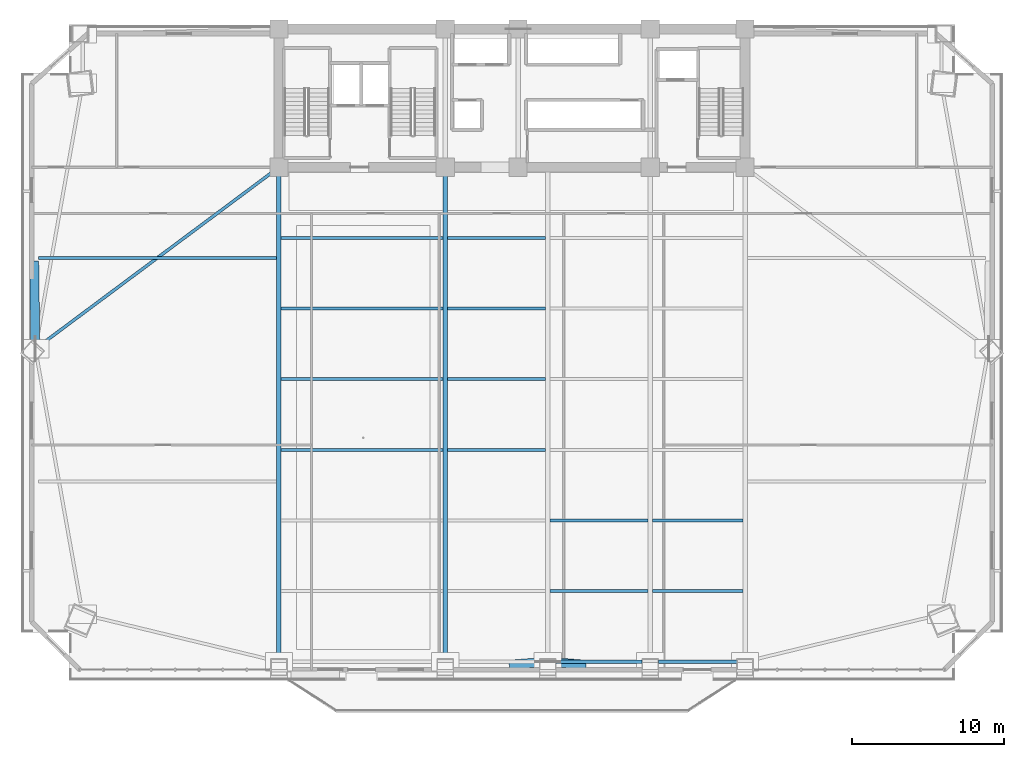
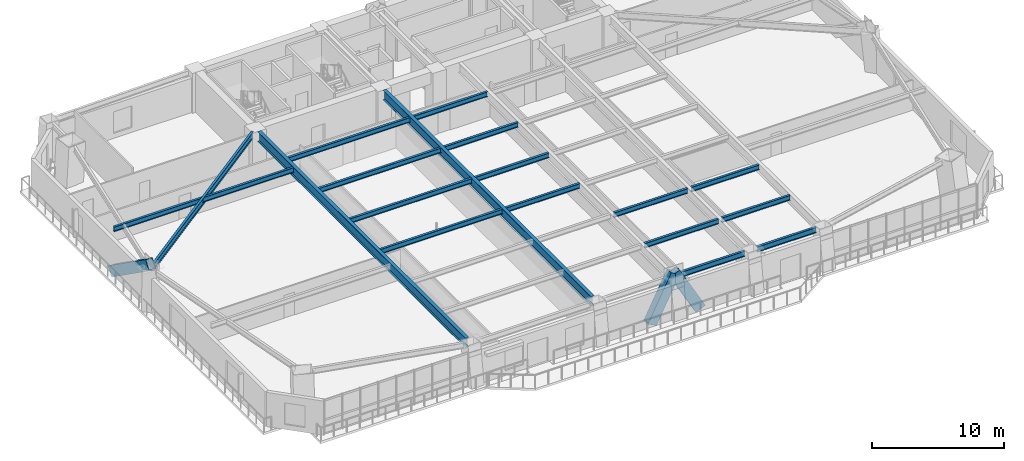
# One storey, part 5 of 17: 18 beams, 3 members.
"""IFC4 building model written with IfcOpenShell, lengths in metres."""

from ifc_helpers import new_model, si_unit, direction, frame, origin, origin_2d, place, context, subcontext, project, spatial, hollow_rectangle, i_section, extrude, source, transform, mapped, material, material_profile, profile_set, type_object, element, save


model = new_model("IFC4")

# Units and contexts
model_context = context("Model", 3, precision=1e-05, world=origin(), true_north=direction((0.0, 1.0)))
body_context = subcontext(model_context, "Body", "Model", "MODEL_VIEW")
ifc_project = project(units=[si_unit("LENGTHUNIT", "METRE"), si_unit("AREAUNIT", "SQUARE_METRE"), si_unit("VOLUMEUNIT", "CUBIC_METRE"), si_unit("PLANEANGLEUNIT", "RADIAN"), si_unit("MASSUNIT", "GRAM", prefix="KILO")], contexts=[model_context])

# Site, building, storey
site_placement = place(None, origin())
site = spatial("IfcSite", under=ifc_project, at=site_placement, CompositionType="ELEMENT")
building_placement = place(site_placement, origin())
building = spatial("IfcBuilding", under=site, at=building_placement, Name="Giltprow Tower", CompositionType="ELEMENT")
storey_placement = place(building_placement, frame((0.0, 0.0, 57.199951171875)))
storey = spatial("IfcBuildingStorey", under=building, at=storey_placement, Name="L14", CompositionType="ELEMENT", Elevation=57.199951171875)

# Beams
ifc_material_1 = material(Name="Structural steel Q355B", Category="steel")
ifc_material_profile_1 = material_profile(ifc_material_1, i_section(OverallWidth=0.199951171875, OverallDepth=0.5, WebThickness=0.010009765625, FlangeThickness=0.01611328125, at=origin_2d()), Name="HN 500x200x10x16")
ifc_profile_set_1 = profile_set([ifc_material_profile_1], Name="Structural steel Q355B")
beam_type_1 = type_object("IfcBeamType", Name="BM-SPAN-HN500", PredefinedType="SPANDREL", material=ifc_profile_set_1)
shared_shape_1 = source(origin(), body_context, "Body", "SweptSolid", [
    extrude(i_section(OverallWidth=0.199951171875, OverallDepth=0.5, WebThickness=0.010009765625, FlangeThickness=0.01611328125, at=origin_2d()), origin(), (0.0, 0.0, 1.0), 5.679931640625),
])
beam_1_placement = place(storey_placement, frame((38.0849609375, 4.882080078125, 3.429931640625), z_axis=(1.0, 0.0, 0.0), x_axis=(0.0, 1.0, 0.0)))
element("IfcBeam", 1, at=beam_1_placement, inside=storey, type_object=beam_type_1, Name="L14 Perimeter Spandrel Beam S_MID-S3", PredefinedType="SPANDREL", context=body_context, shape_type="MappedRepresentation", body=[
    mapped(shared_shape_1, transform((0.0, 0.0, 0.0), x_axis=(1.0, 0.0, 0.0), y_axis=(0.0, 1.0, 0.0), z_axis=(0.0, 0.0, 1.0), scale=1.0)),
])
shared_shape_2 = source(origin(), body_context, "Body", "SweptSolid", [
    extrude(i_section(OverallWidth=0.199951171875, OverallDepth=0.5, WebThickness=0.010009765625, FlangeThickness=0.01611328125, at=origin_2d()), origin(), (0.0, 0.0, 1.0), 5.179931640625),
])
beam_2_placement = place(storey_placement, frame((44.8349609375, 4.882080078125, 3.429931640625), z_axis=(1.0, 0.0, 0.0), x_axis=(0.0, 1.0, 0.0)))
element("IfcBeam", 2, at=beam_2_placement, inside=storey, type_object=beam_type_1, Name="L14 Perimeter Spandrel Beam S3-S4", PredefinedType="SPANDREL", context=body_context, shape_type="MappedRepresentation", body=[
    mapped(shared_shape_2, transform((0.0, 0.0, 0.0), x_axis=(1.0, 0.0, 0.0), y_axis=(0.0, 1.0, 0.0), z_axis=(0.0, 0.0, 1.0), scale=1.0)),
])
ifc_material_profile_2 = material_profile(ifc_material_1, i_section(OverallWidth=0.199951171875, OverallDepth=0.449951171875, WebThickness=0.009033203125, FlangeThickness=0.013916015625, at=origin_2d()), Name="HN 450x200x9x14")
ifc_profile_set_2 = profile_set([ifc_material_profile_2], Name="Structural steel Q355B")
beam_type_2 = type_object("IfcBeamType", Name="BM-JOIST-HN450", PredefinedType="JOIST", material=ifc_profile_set_2)
shared_shape_3 = source(origin(), body_context, "Body", "SweptSolid", [
    extrude(i_section(OverallWidth=0.199951171875, OverallDepth=0.449951171875, WebThickness=0.009033203125, FlangeThickness=0.013916015625, at=origin_2d()), origin(), (0.0, 0.0, 1.0), 10.659912109375),
])
for number, where, z_axis, x_axis, name in (
    (3, (19.9951171875, 18.840087890625, 3.455078125), (1.0, 0.0, 0.0), (0.0, 1.0, 0.0), "L14 Composite Floor Joist 3-1"),
    (4, (19.9951171875, 23.491943359375, 3.455078125), (1.0, 0.0, 0.0), (0.0, 1.0, 0.0), "L14 Composite Floor Joist 4-1"),
    (5, (19.9951171875, 28.14501953125, 3.455078125), (1.0, 0.0, 0.0), (0.0, 1.0, 0.0), "L14 Composite Floor Joist 5-1"),
    (6, (19.9951171875, 32.797119140625, 3.455078125), (1.0, 0.0, 0.0), (0.0, 1.0, 0.0), "L14 Composite Floor Joist 6-1"),
):
    element("IfcBeam", number, at=place(storey_placement, frame(where, z_axis=z_axis, x_axis=x_axis)), inside=storey, type_object=beam_type_2, Name=name, PredefinedType="JOIST", context=body_context, shape_type="MappedRepresentation", body=[
        mapped(shared_shape_3, transform((0.0, 0.0, 0.0), x_axis=(1.0, 0.0, 0.0), y_axis=(0.0, 1.0, 0.0), z_axis=(0.0, 0.0, 1.0), scale=1.0)),
    ])
shared_shape_4 = source(origin(), body_context, "Body", "SweptSolid", [
    extrude(i_section(OverallWidth=0.199951171875, OverallDepth=0.449951171875, WebThickness=0.009033203125, FlangeThickness=0.013916015625, at=origin_2d()), origin(), (0.0, 0.0, 1.0), 6.4599609375),
])
for number, where, z_axis, x_axis, name in (
    (7, (37.695068359375, 9.534912109375, 3.455078125), (1.0, 0.0, 0.0), (0.0, 1.0, 0.0), "L14 Composite Floor Joist 1-3"),
    (8, (37.695068359375, 14.18701171875, 3.455078125), (1.0, 0.0, 0.0), (0.0, 1.0, 0.0), "L14 Composite Floor Joist 2-3"),
    (9, (30.945068359375, 18.840087890625, 3.455078125), (1.0, 0.0, 0.0), (0.0, 1.0, 0.0), "L14 Composite Floor Joist 3-2"),
    (10, (30.945068359375, 23.491943359375, 3.455078125), (1.0, 0.0, 0.0), (0.0, 1.0, 0.0), "L14 Composite Floor Joist 4-2"),
    (11, (30.945068359375, 28.14501953125, 3.455078125), (1.0, 0.0, 0.0), (0.0, 1.0, 0.0), "L14 Composite Floor Joist 5-2"),
    (12, (30.945068359375, 32.797119140625, 3.455078125), (1.0, 0.0, 0.0), (0.0, 1.0, 0.0), "L14 Composite Floor Joist 6-2"),
):
    element("IfcBeam", number, at=place(storey_placement, frame(where, z_axis=z_axis, x_axis=x_axis)), inside=storey, type_object=beam_type_2, Name=name, PredefinedType="JOIST", context=body_context, shape_type="MappedRepresentation", body=[
        mapped(shared_shape_4, transform((0.0, 0.0, 0.0), x_axis=(1.0, 0.0, 0.0), y_axis=(0.0, 1.0, 0.0), z_axis=(0.0, 0.0, 1.0), scale=1.0)),
    ])
shared_shape_5 = source(origin(), body_context, "Body", "SweptSolid", [
    extrude(i_section(OverallWidth=0.199951171875, OverallDepth=0.449951171875, WebThickness=0.009033203125, FlangeThickness=0.013916015625, at=origin_2d()), origin(), (0.0, 0.0, 1.0), 5.9599609375),
])
for number, where, z_axis, x_axis, name in (
    (13, (44.445068359375, 9.534912109375, 3.455078125), (1.0, 0.0, 0.0), (0.0, 1.0, 0.0), "L14 Composite Floor Joist 1-4"),
    (14, (44.445068359375, 14.18701171875, 3.455078125), (1.0, 0.0, 0.0), (0.0, 1.0, 0.0), "L14 Composite Floor Joist 2-4"),
):
    element("IfcBeam", number, at=place(storey_placement, frame(where, z_axis=z_axis, x_axis=x_axis)), inside=storey, type_object=beam_type_2, Name=name, PredefinedType="JOIST", context=body_context, shape_type="MappedRepresentation", body=[
        mapped(shared_shape_5, transform((0.0, 0.0, 0.0), x_axis=(1.0, 0.0, 0.0), y_axis=(0.0, 1.0, 0.0), z_axis=(0.0, 0.0, 1.0), scale=1.0)),
    ])
ifc_material_profile_3 = material_profile(ifc_material_1, i_section(OverallWidth=0.300048828125, OverallDepth=0.89990234375, WebThickness=0.01611328125, FlangeThickness=0.028076171875, at=origin_2d()), Name="HN 900x300x16x28")
ifc_profile_set_3 = profile_set([ifc_material_profile_3], Name="Structural steel Q355B")
beam_type_3 = type_object("IfcBeamType", Name="BM-GIRD-HN900", PredefinedType="BEAM", material=ifc_profile_set_3)
shared_shape_6 = source(origin(), body_context, "Body", "SweptSolid", [
    extrude(i_section(OverallWidth=0.300048828125, OverallDepth=0.89990234375, WebThickness=0.01611328125, FlangeThickness=0.028076171875, at=origin_2d()), origin(), (0.0, 0.0, 1.0), 31.447998046875),
])
for number, where, z_axis, x_axis, name in (
    (15, (19.85009765625, 5.4169921875, 3.22998046875), (0.0, 1.0, 0.0), (-1.0, 0.0, 0.0), "L14 Primary Lease Girder S1"),
    (16, (30.800048828125, 5.4169921875, 3.22998046875), (0.0, 1.0, 0.0), (-1.0, 0.0, 0.0), "L14 Primary Lease Girder S2"),
):
    element("IfcBeam", number, at=place(storey_placement, frame(where, z_axis=z_axis, x_axis=x_axis)), inside=storey, type_object=beam_type_3, Name=name, PredefinedType="BEAM", context=body_context, shape_type="MappedRepresentation", body=[
        mapped(shared_shape_6, transform((0.0, 0.0, 0.0), x_axis=(1.0, 0.0, 0.0), y_axis=(0.0, 1.0, 0.0), z_axis=(0.0, 0.0, 1.0), scale=1.0)),
    ])
ifc_material_profile_4 = material_profile(ifc_material_1, i_section(OverallWidth=0.199951171875, OverallDepth=0.60009765625, WebThickness=0.010986328125, FlangeThickness=0.01708984375, at=origin_2d()), Name="HN 600x200x11x17")
ifc_profile_set_4 = profile_set([ifc_material_profile_4], Name="Structural steel Q355B")
beam_type_4 = type_object("IfcBeamType", Name="BM-GIRD-HN600", PredefinedType="BEAM", material=ifc_profile_set_4)
shared_shape_7 = source(origin(), body_context, "Body", "SweptSolid", [
    extrude(i_section(OverallWidth=0.199951171875, OverallDepth=0.60009765625, WebThickness=0.010986328125, FlangeThickness=0.01708984375, at=origin_2d()), origin(), (0.0, 0.0, 1.0), 18.891357421875),
])
beam_3_placement = place(storey_placement, frame((4.23388671875, 25.81103515625, 3.380126953125), z_axis=(0.801809248957, 0.597580060148, 0.0), x_axis=(-0.597580060148, 0.801809248957, 0.0)))
element("IfcBeam", 17, at=beam_3_placement, inside=storey, type_object=beam_type_4, Name="L14 West Wing Primary Girder", PredefinedType="BEAM", context=body_context, shape_type="MappedRepresentation", body=[
    mapped(shared_shape_7, transform((0.0, 0.0, 0.0), x_axis=(1.0, 0.0, 0.0), y_axis=(0.0, 1.0, 0.0), z_axis=(0.0, 0.0, 1.0), scale=1.0)),
])
shared_shape_8 = source(origin(), body_context, "Body", "SweptSolid", [
    extrude(i_section(OverallWidth=0.199951171875, OverallDepth=0.449951171875, WebThickness=0.009033203125, FlangeThickness=0.013916015625, at=origin_2d()), origin(), (0.0, 0.0, 1.0), 15.68017578125),
])
beam_4_placement = place(storey_placement, frame((4.02490234375, 31.470947265625, 3.455078125), z_axis=(1.0, 0.0, 0.0), x_axis=(0.0, 1.0, 0.0)))
element("IfcBeam", 18, at=beam_4_placement, inside=storey, type_object=beam_type_2, Name="L14 West Wing Floor Joist 2", PredefinedType="JOIST", context=body_context, shape_type="MappedRepresentation", body=[
    mapped(shared_shape_8, transform((0.0, 0.0, 0.0), x_axis=(1.0, 0.0, 0.0), y_axis=(0.0, 1.0, 0.0), z_axis=(0.0, 0.0, 1.0), scale=1.0)),
])

# Members
ifc_material_2 = material(Name="Structural steel Q420GJC", Category="steel")
ifc_material_profile_5 = material_profile(ifc_material_2, hollow_rectangle(XDim=0.60009765625, YDim=0.89990234375, WallThickness=0.0400390625, at=origin_2d()), Name="RHS 900x600x40")
ifc_profile_set_5 = profile_set([ifc_material_profile_5], Name="Structural steel Q420GJC")
member_type = type_object("IfcMemberType", Name="MBR-MEGA-RHS900", PredefinedType="BRACE", material=ifc_profile_set_5)
shared_shape_9 = source(origin(), body_context, "Body", "SweptSolid", [
    extrude(hollow_rectangle(XDim=0.60009765625, YDim=0.89990234375, WallThickness=0.0400390625, at=origin_2d()), origin(), (0.0, 0.0, 1.0), 4.45166015625),
])
member_1_placement = place(storey_placement, frame((39.68994140625, 4.715087890625, 0.0), z_axis=(-0.480684597253, 0.037511496237, 0.876090866071), x_axis=(-0.077801109813, -0.996968899872, 0.0)))
element("IfcMember", 19, at=member_1_placement, inside=storey, type_object=member_type, Name="L14 Chevron Mega-Brace S-R", PredefinedType="BRACE", context=body_context, shape_type="MappedRepresentation", body=[
    mapped(shared_shape_9, transform((0.0, 0.0, 0.0), x_axis=(1.0, 0.0, 0.0), y_axis=(0.0, 1.0, 0.0), z_axis=(0.0, 0.0, 1.0), scale=1.0)),
])
shared_shape_10 = source(origin(), body_context, "Body", "SweptSolid", [
    extrude(hollow_rectangle(XDim=0.60009765625, YDim=0.89990234375, WallThickness=0.0400390625, at=origin_2d()), origin(), (0.0, 0.0, 1.0), 4.451904296875),
])
member_2_placement = place(storey_placement, frame((35.409912109375, 4.715087890625, 0.0), z_axis=(0.480726765435, 0.037510507365, 0.876067770684), x_axis=(-0.0777922882, 0.996969588251, 0.0)))
element("IfcMember", 20, at=member_2_placement, inside=storey, type_object=member_type, Name="L14 Chevron Mega-Brace S-L", PredefinedType="BRACE", context=body_context, shape_type="MappedRepresentation", body=[
    mapped(shared_shape_10, transform((0.0, 0.0, 0.0), x_axis=(1.0, 0.0, 0.0), y_axis=(0.0, 1.0, 0.0), z_axis=(0.0, 0.0, 1.0), scale=1.0)),
])
shared_shape_11 = source(origin(), body_context, "Body", "SweptSolid", [
    extrude(hollow_rectangle(XDim=0.60009765625, YDim=0.89990234375, WallThickness=0.0400390625, at=origin_2d()), origin(), (0.0, 0.0, 1.0), 6.7724609375),
])
member_3_placement = place(storey_placement, frame((3.72998046875, 31.027099609375, 0.0), z_axis=(0.011067135685, -0.817453969994, 0.57588759793), x_axis=(0.999908366524, 0.013537302369, 0.0)))
element("IfcMember", 21, at=member_3_placement, inside=storey, type_object=member_type, Name="L14 Chevron Mega-Brace W-R", PredefinedType="BRACE", context=body_context, shape_type="MappedRepresentation", body=[
    mapped(shared_shape_11, transform((0.0, 0.0, 0.0), x_axis=(1.0, 0.0, 0.0), y_axis=(0.0, 1.0, 0.0), z_axis=(0.0, 0.0, 1.0), scale=1.0)),
])

save(model, "model.ifc")
